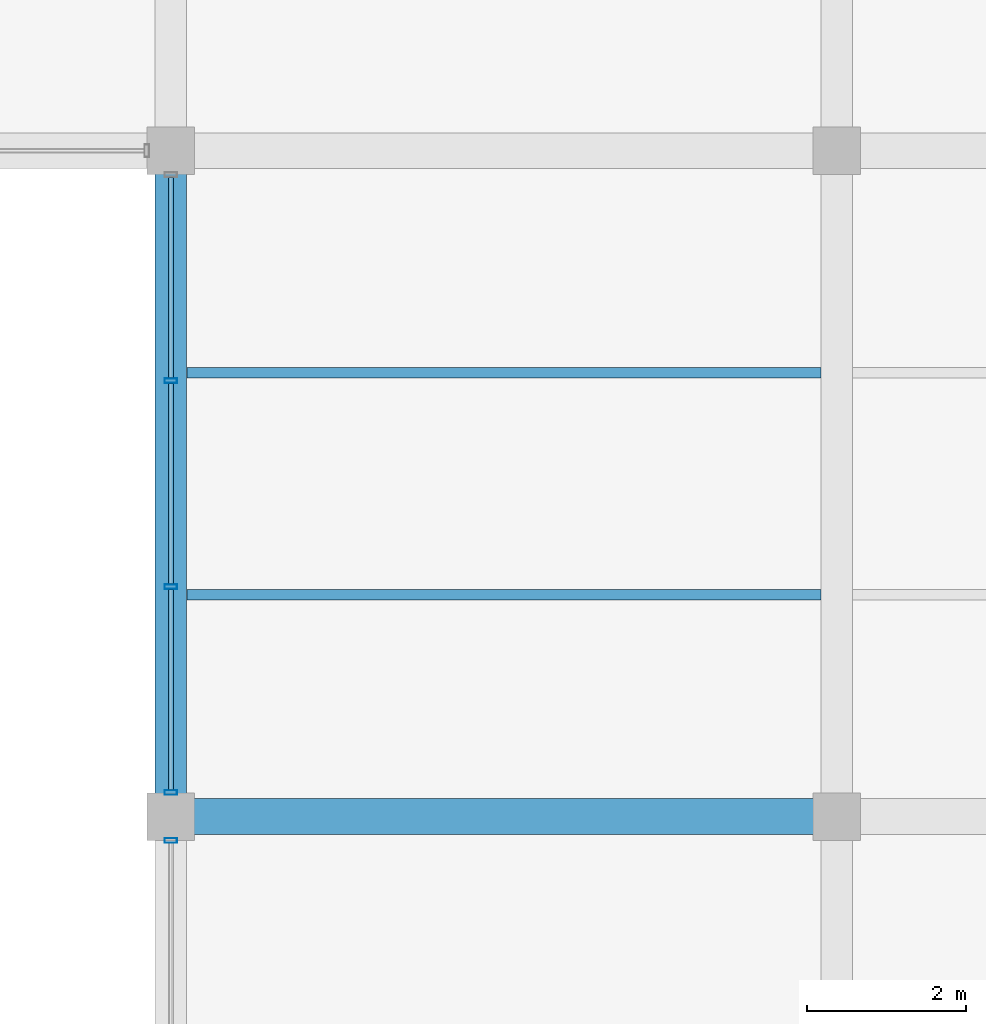
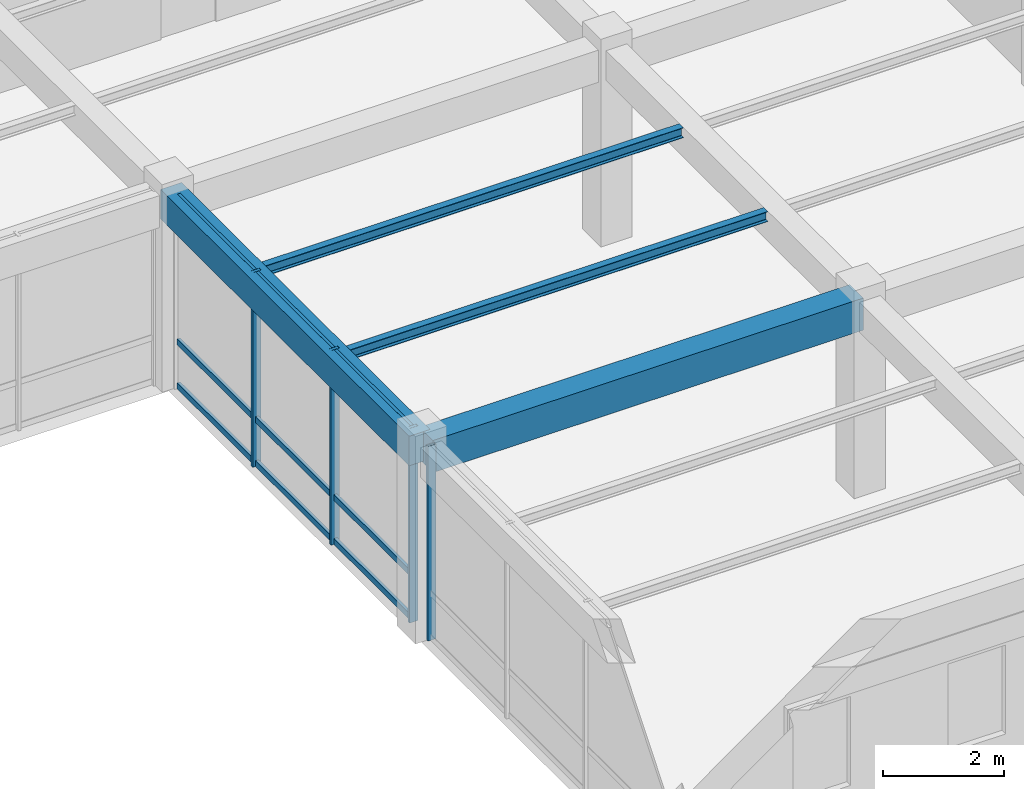
# One storey, part 15 of 114: 13 members, 4 beams, 2 elements without a shape of their own.
"""IFC4 building model written with IfcOpenShell, lengths in metres."""

import ifcopenshell
import ifcopenshell.guid

model = None  # the IFC model being written
_history = None  # IfcOwnerHistory: only IFC2X3 demands one
_inside = {}  # id of a spatial element -> (the spatial element, [elements in it])
_under = {}  # id of a project, library or spatial element -> (it, [spatial elements below it])
_declared = {}  # id of a project -> (the project, [libraries it declares])
_typed = {}  # id of a type object -> (the type object, [elements of that type])
_made_of = {}  # id of a material, layer set ... -> (it, [elements and type objects made of it])


def new_model(schema):
    """Start an empty IFC model of exactly this schema.

    Asked for "IFC4X3", IfcOpenShell would pick the latest addendum, in which some entities
    have other attributes; the version numbers below select the first issue.
    IFC2X3 requires an IfcOwnerHistory on every rooted entity: one is made here for all.
    """
    global model, _history
    if schema == "IFC4X3":
        model = ifcopenshell.file(schema_version=(4, 3, 0, 0))
    else:
        model = ifcopenshell.file(schema=schema)
    _inside.clear()
    _under.clear()
    _declared.clear()
    _typed.clear()
    _made_of.clear()
    _history = None
    if model.schema == "IFC2X3":
        org = make("IfcOrganization", Name="unknown")
        user = make(
            "IfcPersonAndOrganization",
            ThePerson=make("IfcPerson", FamilyName="unknown"),
            TheOrganization=org,
        )
        app = make(
            "IfcApplication",
            ApplicationDeveloper=org,
            Version="unknown",
            ApplicationFullName="unknown",
            ApplicationIdentifier="unknown",
        )
        _history = make(
            "IfcOwnerHistory",
            OwningUser=user,
            OwningApplication=app,
            ChangeAction="ADDED",
            CreationDate=0,
        )
    return model


def make(cls, **values):
    """One entity of the class cls with the attributes given. An attribute that is None is left unset."""
    return model.create_entity(
        cls, **{name: value for name, value in values.items() if value is not None}
    )


def rooted(cls, **values):
    """An entity with a GlobalId (a new one), such as an element, a storey or a relation."""
    return make(cls, GlobalId=ifcopenshell.guid.new(), OwnerHistory=_history, **values)


def si_unit(unit_type, name, prefix=None):
    """IfcSIUnit, for example si_unit("LENGTHUNIT", "METRE", prefix="MILLI")."""
    return make("IfcSIUnit", UnitType=unit_type, Prefix=prefix, Name=name)


def assignment(units):
    """IfcUnitAssignment: the units of a project."""
    return None if units is None else make("IfcUnitAssignment", Units=units)


def point(xyz):
    """IfcCartesianPoint."""
    return None if xyz is None else make("IfcCartesianPoint", Coordinates=xyz)


def direction(xyz):
    """IfcDirection."""
    return None if xyz is None else make("IfcDirection", DirectionRatios=xyz)


def frame(location, z_axis=None, x_axis=None):
    """IfcAxis2Placement3D, a coordinate frame: its origin and axes. An axis left out is left unset."""
    return make(
        "IfcAxis2Placement3D",
        Location=point(location),
        Axis=direction(z_axis),
        RefDirection=direction(x_axis),
    )


def frame_2d(location, x_axis=None):
    """IfcAxis2Placement2D, a coordinate frame in the plane: its origin and x axis."""
    return make(
        "IfcAxis2Placement2D", Location=point(location), RefDirection=direction(x_axis)
    )


def origin():
    """The frame at (0, 0, 0) with its axes left unset."""
    return frame((0.0, 0.0, 0.0))


def origin_2d():
    """The frame at (0, 0) in the plane with its x axis left unset."""
    return frame_2d((0.0, 0.0))


def place(relative_to, where):
    """IfcLocalPlacement: puts the frame where relative to a parent placement (None: the world)."""
    return make(
        "IfcLocalPlacement", PlacementRelTo=relative_to, RelativePlacement=where
    )


def context(
    kind, dimensions, precision=None, world=None, true_north=None, identifier=None
):
    """IfcGeometricRepresentationContext, for example the 3D "Model" context."""
    return make(
        "IfcGeometricRepresentationContext",
        ContextIdentifier=identifier,
        ContextType=kind,
        CoordinateSpaceDimension=dimensions,
        Precision=precision,
        WorldCoordinateSystem=world,
        TrueNorth=true_north,
    )


def subcontext(parent, identifier, kind, view, scale=None):
    """IfcGeometricRepresentationSubContext, for example "Body" below "Model"."""
    return make(
        "IfcGeometricRepresentationSubContext",
        ContextIdentifier=identifier,
        ContextType=kind,
        ParentContext=parent,
        TargetScale=scale,
        TargetView=view,
    )


def project(units=None, contexts=None):
    """IfcProject with its units and contexts."""
    return rooted(
        "IfcProject",
        Name="project",
        RepresentationContexts=contexts,
        UnitsInContext=assignment(units),
    )


def spatial(cls, under=None, at=None, **own):
    """A site, building, storey or space (cls), placed at a placement, below another one or the project."""
    s = rooted(cls, ObjectPlacement=at, **own)
    if under is not None:
        _under.setdefault(under.id(), (under, []))[1].append(s)
    return s


def profile(cls, at=None, kind="AREA", **sizes):
    """A parametric profile (cls). Its sizes go by their IFC names, for example OverallWidth=200.0."""
    return make(cls, ProfileType=kind, Position=at, **sizes)


def rectangle(**sizes):
    """IfcRectangleProfileDef."""
    return profile("IfcRectangleProfileDef", **sizes)


def hollow_rectangle(**sizes):
    """IfcRectangleHollowProfileDef."""
    return profile("IfcRectangleHollowProfileDef", **sizes)


def i_section(**sizes):
    """IfcIShapeProfileDef."""
    return profile("IfcIShapeProfileDef", **sizes)


def extrude(swept, where, along, depth):
    """IfcExtrudedAreaSolid: the profile swept, set in the frame where, extruded along a direction by depth."""
    return make(
        "IfcExtrudedAreaSolid",
        SweptArea=swept,
        Position=where,
        ExtrudedDirection=direction(along),
        Depth=depth,
    )


def shape(context_of_items, identifier, shape_type, items):
    """IfcShapeRepresentation: the items that make up one representation, for example the "Body"."""
    return make(
        "IfcShapeRepresentation",
        ContextOfItems=context_of_items,
        RepresentationIdentifier=identifier,
        RepresentationType=shape_type,
        Items=items,
    )


def material(Name=None, Category=None):
    """IfcMaterial."""
    return make("IfcMaterial", Name=Name, Category=Category)


def material_profile(
    of_material, cross_section, Name=None, Category=None, Priority=None
):
    """IfcMaterialProfile: a cross section and its material."""
    return make(
        "IfcMaterialProfile",
        Name=Name,
        Material=of_material,
        Profile=cross_section,
        Priority=Priority,
        Category=Category,
    )


def profile_set(profiles, Name=None, composite=None):
    """IfcMaterialProfileSet."""
    return make(
        "IfcMaterialProfileSet",
        Name=Name,
        MaterialProfiles=profiles,
        CompositeProfile=composite,
    )


def made_of(thing, what):
    """Note that an element or type object is made of a material, layer set ...; save() writes the relation."""
    if what is not None:
        _made_of.setdefault(what.id(), (what, []))[1].append(thing)
    return thing


def type_object(cls, material=None, **own):
    """A type object (cls), such as IfcWallType, which elements share."""
    return made_of(rooted(cls, **own), material)


def element(
    cls,
    number,
    at=None,
    inside=None,
    cuts=None,
    type_object=None,
    material=None,
    context=None,
    identifier="Body",
    shape_type=None,
    held_by="IfcProductDefinitionShape",
    body=None,
    shapes=None,
    **own,
):
    """One element of the class cls, such as IfcWall. Its Tag is "e" and its number.

    at: its placement. inside: the storey or other place that contains it. cuts: it is an
    opening in that element (IfcRelVoidsElement). A single representation is given by context,
    identifier, shape_type and body (its items); several are given by shapes. held_by: the class
    of the entity that holds the representations. save() writes the other relations.
    """
    e = rooted(cls, Tag="e%d" % number, ObjectPlacement=at, **own)
    if body is not None:
        shapes = [shape(context, identifier, shape_type, body)]
    if shapes is not None:
        e.Representation = make(held_by, Representations=shapes)
    if inside is not None:
        _inside.setdefault(inside.id(), (inside, []))[1].append(e)
    if cuts is not None:
        rooted(
            "IfcRelVoidsElement", RelatingBuildingElement=cuts, RelatedOpeningElement=e
        )
    if type_object is not None:
        _typed.setdefault(type_object.id(), (type_object, []))[1].append(e)
    return made_of(e, material)


def aggregate(whole, parts):
    """IfcRelAggregates: a whole, such as a stair, and the parts it consists of."""
    return rooted("IfcRelAggregates", RelatingObject=whole, RelatedObjects=parts)


def save(model, path):
    """Write the relations noted so far, then the file.

    IfcRelAggregates (storeys below a building ...), IfcRelContainedInSpatialStructure (elements
    in a storey), IfcRelDefinesByType, IfcRelAssociatesMaterial and IfcRelDeclares: one each for
    every whole, place, type object, material and project.
    """
    for whole, parts in _under.values():
        aggregate(whole, parts)
    for where, things in _inside.values():
        rooted(
            "IfcRelContainedInSpatialStructure",
            RelatedElements=things,
            RelatingStructure=where,
        )
    for kind, things in _typed.values():
        rooted("IfcRelDefinesByType", RelatedObjects=things, RelatingType=kind)
    for what, things in _made_of.values():
        rooted("IfcRelAssociatesMaterial", RelatedObjects=things, RelatingMaterial=what)
    for by, libraries in _declared.values():
        rooted("IfcRelDeclares", RelatingContext=by, RelatedDefinitions=libraries)
    model.write(path)


model = new_model("IFC4")

# Units and contexts
model_context = context("Model", 3, precision=1e-05, world=origin(), true_north=direction((0.0, 1.0)))
body_context = subcontext(model_context, "Body", "Model", "MODEL_VIEW")
ifc_project = project(units=[si_unit("LENGTHUNIT", "METRE"), si_unit("AREAUNIT", "SQUARE_METRE"), si_unit("VOLUMEUNIT", "CUBIC_METRE"), si_unit("PLANEANGLEUNIT", "RADIAN"), si_unit("MASSUNIT", "GRAM", prefix="KILO"), si_unit("THERMODYNAMICTEMPERATUREUNIT", "KELVIN"), si_unit("POWERUNIT", "WATT")], contexts=[model_context])

# Site, building, storey
site_placement = place(None, origin())
site = spatial("IfcSite", under=ifc_project, at=site_placement, CompositionType="ELEMENT")
building_placement = place(site_placement, origin())
building = spatial("IfcBuilding", under=site, at=building_placement, Name="Darbajah Civic Hall", CompositionType="ELEMENT")
storey_placement = place(building_placement, frame((0.0, 0.0, 13.800048828125)))
storey = spatial("IfcBuildingStorey", under=building, at=storey_placement, Name="L03", CompositionType="ELEMENT", Elevation=13.800048828125)

# Curtain wall, members
ifc_material_1 = material(Name="Anodised Bronze Aluminium and Low-E Glazing", Category="aluminium")
curtain_wall_type = type_object("IfcCurtainWallType", Name="Unitised Curtain Wall CW-100 7800x3950", PredefinedType="USERDEFINED", material=ifc_material_1)
curtain_wall_1_placement = place(storey_placement, origin())
curtain_wall_1 = element("IfcCurtainWall", 1, at=curtain_wall_1_placement, inside=storey, type_object=curtain_wall_type, Name="L03 unitised curtain wall CW-V5-L03-S3-B0", ObjectType="UNITISED CURTAIN WALL", PredefinedType="USERDEFINED")
ifc_material_2 = material(Name="Anodised Bronze Aluminium", Category="aluminium")
ifc_material_profile_1 = material_profile(ifc_material_2, hollow_rectangle(XDim=0.06005859375, YDim=0.159912109375, WallThickness=0.00341796875, at=origin_2d()), Name="ALU MULLION 60x160")
ifc_profile_set_1 = profile_set([ifc_material_profile_1], Name="Anodised Bronze Aluminium")
member_type_1 = type_object("IfcMemberType", Name="ALU MULLION 60x160", PredefinedType="MULLION", material=ifc_profile_set_1)
member_1_placement = place(storey_placement, frame((50.39990234375, 13.8994140625, 0.0), z_axis=(0.0, 0.0, 1.0), x_axis=(0.0, -1.0, 0.0)))
member_1 = element("IfcMember", 2, at=member_1_placement, type_object=member_type_1, Name="CW-V5-L03-S3-B0 mullion 2", PredefinedType="MULLION", context=body_context, shape_type="SweptSolid", body=[
    extrude(hollow_rectangle(XDim=0.06005859375, YDim=0.159912109375, WallThickness=0.00341796875, at=origin_2d()), origin(), (0.0, 0.0, 1.0), 3.93994140625),
])
member_2_placement = place(storey_placement, frame((50.39990234375, 11.30078125, 0.0), z_axis=(0.0, 0.0, 1.0), x_axis=(0.0, -1.0, 0.0)))
member_2 = element("IfcMember", 3, at=member_2_placement, type_object=member_type_1, Name="CW-V5-L03-S3-B0 mullion 3", PredefinedType="MULLION", context=body_context, shape_type="SweptSolid", body=[
    extrude(hollow_rectangle(XDim=0.06005859375, YDim=0.159912109375, WallThickness=0.00341796875, at=origin_2d()), origin(), (0.0, 0.0, 1.0), 3.93994140625),
])
member_3_placement = place(storey_placement, frame((50.39990234375, 8.701904296875, 0.0), z_axis=(0.0, 0.0, 1.0), x_axis=(0.0, -1.0, 0.0)))
member_3 = element("IfcMember", 4, at=member_3_placement, type_object=member_type_1, Name="CW-V5-L03-S3-B0 mullion 4", PredefinedType="MULLION", context=body_context, shape_type="SweptSolid", body=[
    extrude(hollow_rectangle(XDim=0.06005859375, YDim=0.159912109375, WallThickness=0.00341796875, at=origin_2d()), origin(), (0.0, 0.0, 1.0), 3.93994140625),
])

# Curtain wall, member
curtain_wall_2_placement = place(storey_placement, origin())
curtain_wall_2 = element("IfcCurtainWall", 5, at=curtain_wall_2_placement, inside=storey, type_object=curtain_wall_type, Name="L03 unitised curtain wall CW-V5-L03-S3-B1", ObjectType="UNITISED CURTAIN WALL", PredefinedType="USERDEFINED")
member_4_placement = place(storey_placement, frame((50.39990234375, 8.097900390625, 0.0), z_axis=(0.0, 0.0, 1.0), x_axis=(0.0, -1.0, 0.0)))
member_4 = element("IfcMember", 6, at=member_4_placement, type_object=member_type_1, Name="CW-V5-L03-S3-B1 mullion 1", PredefinedType="MULLION", context=body_context, shape_type="SweptSolid", body=[
    extrude(hollow_rectangle(XDim=0.06005859375, YDim=0.159912109375, WallThickness=0.00341796875, at=origin_2d()), origin(), (0.0, 0.0, 1.0), 3.93994140625),
])
aggregate(curtain_wall_2, [member_4])

# Member
ifc_material_profile_2 = material_profile(ifc_material_2, hollow_rectangle(XDim=0.06005859375, YDim=0.1201171875, WallThickness=0.003173828125, at=origin_2d()), Name="ALU TRANSOM 60x120")
ifc_profile_set_2 = profile_set([ifc_material_profile_2], Name="Anodised Bronze Aluminium")
member_type_2 = type_object("IfcMemberType", Name="ALU TRANSOM 60x120", PredefinedType="USERDEFINED", material=ifc_profile_set_2)
member_5_placement = place(storey_placement, frame((50.39990234375, 16.462890625, 0.06005859375), z_axis=(0.0, -1.0, 0.0), x_axis=(1.0, 0.0, 0.0)))
member_5 = element("IfcMember", 7, at=member_5_placement, type_object=member_type_2, Name="CW-V5-L03-S3-B0 transom 1.1", ObjectType="TRANSOM", PredefinedType="USERDEFINED", context=body_context, shape_type="SweptSolid", body=[
    extrude(hollow_rectangle(XDim=0.06005859375, YDim=0.1201171875, WallThickness=0.003173828125, at=origin_2d()), origin(), (0.0, 0.0, 1.0), 2.528564453125),
])

member_6_placement = place(storey_placement, frame((50.39990234375, 16.462890625, 0.949951171875), z_axis=(0.0, -1.0, 0.0), x_axis=(1.0, 0.0, 0.0)))
member_6 = element("IfcMember", 8, at=member_6_placement, type_object=member_type_2, Name="CW-V5-L03-S3-B0 transom 1.2", ObjectType="TRANSOM", PredefinedType="USERDEFINED", context=body_context, shape_type="SweptSolid", body=[
    extrude(hollow_rectangle(XDim=0.06005859375, YDim=0.1201171875, WallThickness=0.003173828125, at=origin_2d()), origin(), (0.0, 0.0, 1.0), 2.528564453125),
])

member_7_placement = place(storey_placement, frame((50.39990234375, 16.462890625, 3.8798828125), z_axis=(0.0, -1.0, 0.0), x_axis=(1.0, 0.0, 0.0)))
member_7 = element("IfcMember", 9, at=member_7_placement, type_object=member_type_2, Name="CW-V5-L03-S3-B0 transom 1.3", ObjectType="TRANSOM", PredefinedType="USERDEFINED", context=body_context, shape_type="SweptSolid", body=[
    extrude(hollow_rectangle(XDim=0.06005859375, YDim=0.1201171875, WallThickness=0.003173828125, at=origin_2d()), origin(), (0.0, 0.0, 1.0), 2.528564453125),
])

member_8_placement = place(storey_placement, frame((50.39990234375, 13.8642578125, 0.06005859375), z_axis=(0.0, -1.0, 0.0), x_axis=(1.0, 0.0, 0.0)))
member_8 = element("IfcMember", 10, at=member_8_placement, type_object=member_type_2, Name="CW-V5-L03-S3-B0 transom 2.1", ObjectType="TRANSOM", PredefinedType="USERDEFINED", context=body_context, shape_type="SweptSolid", body=[
    extrude(hollow_rectangle(XDim=0.06005859375, YDim=0.1201171875, WallThickness=0.003173828125, at=origin_2d()), origin(), (0.0, 0.0, 1.0), 2.528564453125),
])

member_9_placement = place(storey_placement, frame((50.39990234375, 13.8642578125, 0.949951171875), z_axis=(0.0, -1.0, 0.0), x_axis=(1.0, 0.0, 0.0)))
member_9 = element("IfcMember", 11, at=member_9_placement, type_object=member_type_2, Name="CW-V5-L03-S3-B0 transom 2.2", ObjectType="TRANSOM", PredefinedType="USERDEFINED", context=body_context, shape_type="SweptSolid", body=[
    extrude(hollow_rectangle(XDim=0.06005859375, YDim=0.1201171875, WallThickness=0.003173828125, at=origin_2d()), origin(), (0.0, 0.0, 1.0), 2.528564453125),
])

member_10_placement = place(storey_placement, frame((50.39990234375, 13.8642578125, 3.8798828125), z_axis=(0.0, -1.0, 0.0), x_axis=(1.0, 0.0, 0.0)))
member_10 = element("IfcMember", 12, at=member_10_placement, type_object=member_type_2, Name="CW-V5-L03-S3-B0 transom 2.3", ObjectType="TRANSOM", PredefinedType="USERDEFINED", context=body_context, shape_type="SweptSolid", body=[
    extrude(hollow_rectangle(XDim=0.06005859375, YDim=0.1201171875, WallThickness=0.003173828125, at=origin_2d()), origin(), (0.0, 0.0, 1.0), 2.528564453125),
])

member_11_placement = place(storey_placement, frame((50.39990234375, 11.265625, 0.06005859375), z_axis=(0.0, -1.0, 0.0), x_axis=(1.0, 0.0, 0.0)))
member_11 = element("IfcMember", 13, at=member_11_placement, type_object=member_type_2, Name="CW-V5-L03-S3-B0 transom 3.1", ObjectType="TRANSOM", PredefinedType="USERDEFINED", context=body_context, shape_type="SweptSolid", body=[
    extrude(hollow_rectangle(XDim=0.06005859375, YDim=0.1201171875, WallThickness=0.003173828125, at=origin_2d()), origin(), (0.0, 0.0, 1.0), 2.528564453125),
])

member_12_placement = place(storey_placement, frame((50.39990234375, 11.265625, 0.949951171875), z_axis=(0.0, -1.0, 0.0), x_axis=(1.0, 0.0, 0.0)))
member_12 = element("IfcMember", 14, at=member_12_placement, type_object=member_type_2, Name="CW-V5-L03-S3-B0 transom 3.2", ObjectType="TRANSOM", PredefinedType="USERDEFINED", context=body_context, shape_type="SweptSolid", body=[
    extrude(hollow_rectangle(XDim=0.06005859375, YDim=0.1201171875, WallThickness=0.003173828125, at=origin_2d()), origin(), (0.0, 0.0, 1.0), 2.528564453125),
])

member_13_placement = place(storey_placement, frame((50.39990234375, 11.265625, 3.8798828125), z_axis=(0.0, -1.0, 0.0), x_axis=(1.0, 0.0, 0.0)))
member_13 = element("IfcMember", 15, at=member_13_placement, type_object=member_type_2, Name="CW-V5-L03-S3-B0 transom 3.3", ObjectType="TRANSOM", PredefinedType="USERDEFINED", context=body_context, shape_type="SweptSolid", body=[
    extrude(hollow_rectangle(XDim=0.06005859375, YDim=0.1201171875, WallThickness=0.003173828125, at=origin_2d()), origin(), (0.0, 0.0, 1.0), 2.528564453125),
])

aggregate(curtain_wall_1, [member_1, member_2, member_3, member_5, member_6, member_7, member_8, member_9, member_10, member_11, member_12, member_13])

# Beams
ifc_material_3 = material(Name="Concrete C45/55", Category="concrete")
ifc_material_profile_3 = material_profile(ifc_material_3, rectangle(XDim=0.39990234375, YDim=0.60009765625, at=origin_2d()), Name="RC BEAM 400x600")
ifc_profile_set_3 = profile_set([ifc_material_profile_3], Name="Concrete C45/55")
beam_type_1 = type_object("IfcBeamType", Name="RC BEAM 400x600", PredefinedType="BEAM", material=ifc_profile_set_3)
beam_1_placement = place(storey_placement, frame((50.39990234375, 8.47998046875, 3.639892578125), z_axis=(0.0, 1.0, 0.0), x_axis=(-1.0, 0.0, 0.0)))
element("IfcBeam", 16, at=beam_1_placement, inside=storey, type_object=beam_type_1, Name="L03 beam BM-4060", PredefinedType="BEAM", context=body_context, shape_type="SweptSolid", body=[
    extrude(rectangle(XDim=0.39990234375, YDim=0.60009765625, at=origin_2d()), origin(), (0.0, 0.0, 1.0), 8.239990234375),
])
ifc_material_profile_4 = material_profile(ifc_material_3, rectangle(XDim=0.449951171875, YDim=0.64990234375, at=origin_2d()), Name="RC BEAM 450x650")
ifc_profile_set_4 = profile_set([ifc_material_profile_4], Name="Concrete C45/55")
beam_type_2 = type_object("IfcBeamType", Name="RC BEAM 450x650", PredefinedType="BEAM", material=ifc_profile_set_4)
beam_2_placement = place(storey_placement, frame((50.47998046875, 8.39990234375, 3.614990234375), z_axis=(1.0, 0.0, 0.0), x_axis=(0.0, 1.0, 0.0)))
element("IfcBeam", 17, at=beam_2_placement, inside=storey, type_object=beam_type_2, Name="L03 beam BM-4565", PredefinedType="BEAM", context=body_context, shape_type="SweptSolid", body=[
    extrude(rectangle(XDim=0.449951171875, YDim=0.64990234375, at=origin_2d()), origin(), (0.0, 0.0, 1.0), 8.239990234375),
])
ifc_material_4 = material(Name="Steel S355JR", Category="steel")
ifc_material_profile_5 = material_profile(ifc_material_4, i_section(OverallWidth=0.1337890625, OverallDepth=0.206787109375, WebThickness=0.00634765625, FlangeThickness=0.009521484375, FilletRadius=0.007568359375, at=origin_2d()), Name="UB 203x133x30")
ifc_profile_set_5 = profile_set([ifc_material_profile_5], Name="Steel S355JR")
beam_type_3 = type_object("IfcBeamType", Name="UB 203x133x30", PredefinedType="JOIST", material=ifc_profile_set_5)
for number, where, z_axis, x_axis, name in (
    (18, (50.60009765625, 11.199951171875, 3.836669921875), (1.0, 0.0, 0.0), (0.0, 1.0, 0.0), "L03 beam SJ-203"),
    (19, (50.60009765625, 14.0, 3.836669921875), (1.0, 0.0, 0.0), (0.0, 1.0, 0.0), "L03 beam SJ-203"),
):
    element("IfcBeam", number, at=place(storey_placement, frame(where, z_axis=z_axis, x_axis=x_axis)), inside=storey, type_object=beam_type_3, Name=name, PredefinedType="JOIST", context=body_context, shape_type="SweptSolid", body=[
        extrude(i_section(OverallWidth=0.1337890625, OverallDepth=0.206787109375, WebThickness=0.00634765625, FlangeThickness=0.009521484375, FilletRadius=0.007568359375, at=origin_2d()), origin(), (0.0, 0.0, 1.0), 8.0),
    ])

save(model, "model.ifc")
